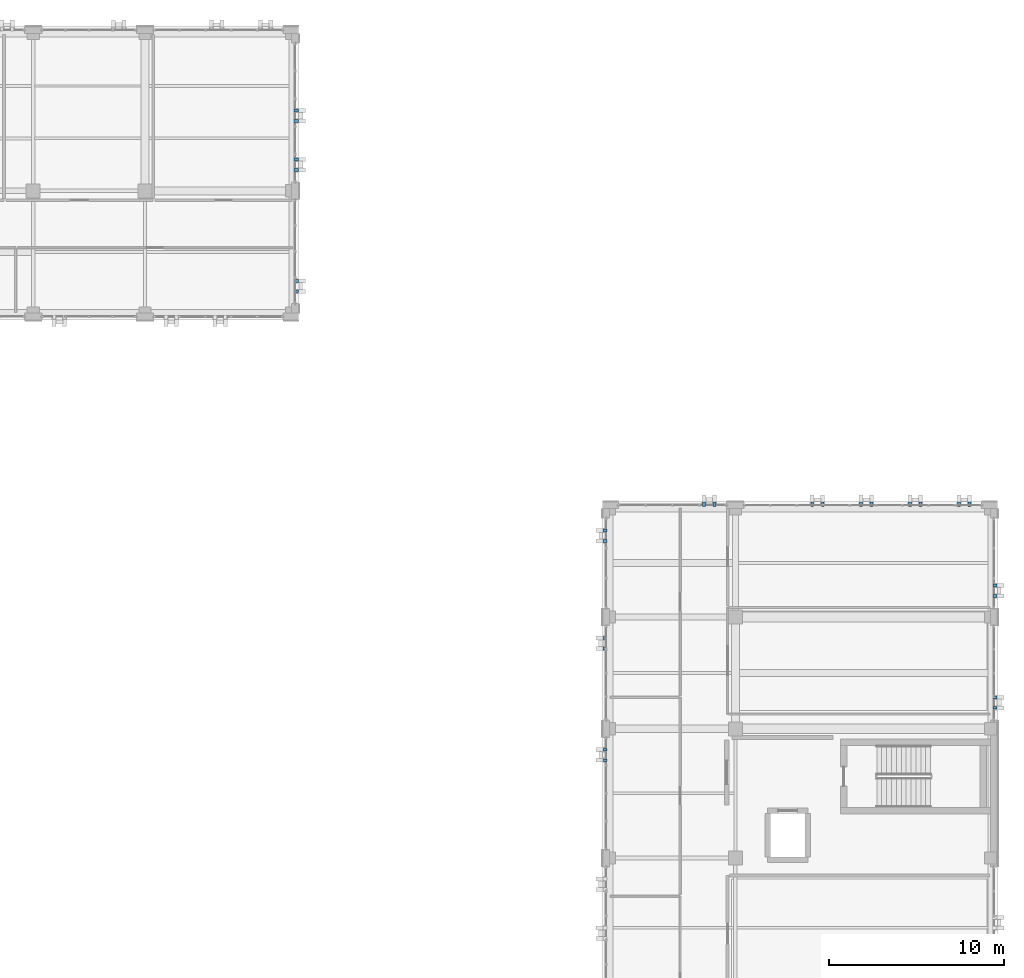
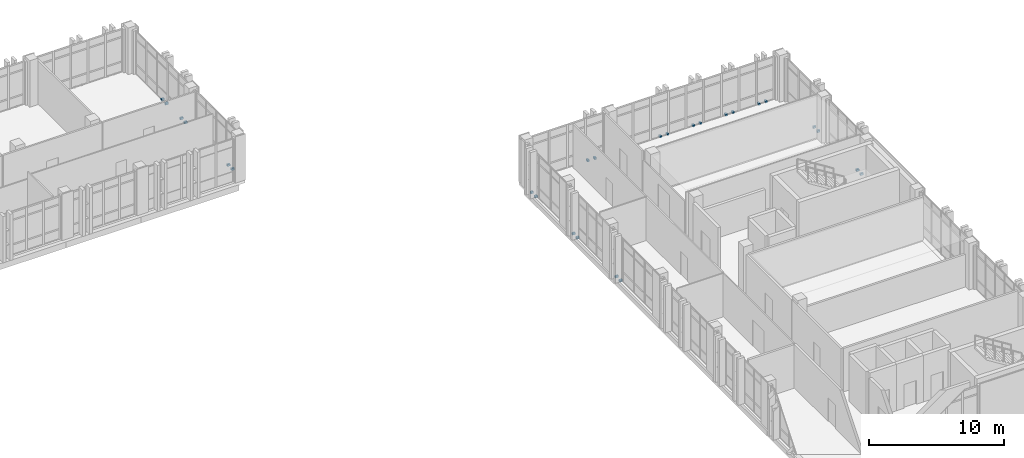
# One storey, part 142 of 158: 26 discrete accessories.
"""IFC4 building model written with IfcOpenShell, lengths in metres."""

from ifc_helpers import new_model, si_unit, direction, frame, origin, origin_2d, place, context, subcontext, project, spatial, rectangle, extrude, material, type_object, element, save


model = new_model("IFC4")

# Units and contexts
model_context = context("Model", 3, precision=1e-05, world=origin(), true_north=direction((0.0, 1.0)))
body_context = subcontext(model_context, "Body", "Model", "MODEL_VIEW")
ifc_project = project(units=[si_unit("LENGTHUNIT", "METRE"), si_unit("AREAUNIT", "SQUARE_METRE"), si_unit("VOLUMEUNIT", "CUBIC_METRE"), si_unit("PLANEANGLEUNIT", "RADIAN"), si_unit("MASSUNIT", "GRAM", prefix="KILO")], contexts=[model_context])

# Site, building, storey
site_placement = place(None, origin())
site = spatial("IfcSite", under=ifc_project, at=site_placement, CompositionType="ELEMENT")
building_placement = place(site_placement, origin())
building = spatial("IfcBuilding", under=site, at=building_placement, Name="Qalavern Law Courts", CompositionType="ELEMENT")
storey_placement = place(building_placement, frame((0.0, 0.0, 18.60009765625)))
storey = spatial("IfcBuildingStorey", under=building, at=storey_placement, Name="L04", CompositionType="ELEMENT", Elevation=18.60009765625)

# Discrete accessories
ifc_material = material(Name="Steel S355", Category="steel")
discrete_accessory_type = type_object("IfcDiscreteAccessoryType", Name="ENV-BRK-FIN", PredefinedType="BRACKET", material=ifc_material)
for number, where, z_axis, x_axis, name in (
    (1, (106.659912109375, 74.0, -0.06982421875), (0.0, 0.0, 1.0), (1.0, 0.0, 0.0), "Stone blade anchor bracket 0681"),
    (2, (106.659912109375, 74.60009765625, -0.06982421875), (0.0, 0.0, 1.0), (1.0, 0.0, 0.0), "Stone blade anchor bracket 0682"),
    (3, (106.659912109375, 80.39990234375, -0.06982421875), (0.0, 0.0, 1.0), (1.0, 0.0, 0.0), "Stone blade anchor bracket 0683"),
    (4, (106.659912109375, 81.0, -0.06982421875), (0.0, 0.0, 1.0), (1.0, 0.0, 0.0), "Stone blade anchor bracket 0684"),
    (5, (105.199951171875, 85.659912109375, -0.06982421875), (0.0, 0.0, 1.0), (0.0, 1.0, 0.0), "Stone blade anchor bracket 0685"),
    (6, (104.60009765625, 85.659912109375, -0.06982421875), (0.0, 0.0, 1.0), (0.0, 1.0, 0.0), "Stone blade anchor bracket 0686"),
    (7, (102.39990234375, 85.659912109375, -0.06982421875), (0.0, 0.0, 1.0), (0.0, 1.0, 0.0), "Stone blade anchor bracket 0687"),
    (8, (101.800048828125, 85.659912109375, -0.06982421875), (0.0, 0.0, 1.0), (0.0, 1.0, 0.0), "Stone blade anchor bracket 0688"),
    (9, (99.60009765625, 85.659912109375, -0.06982421875), (0.0, 0.0, 1.0), (0.0, 1.0, 0.0), "Stone blade anchor bracket 0689"),
    (10, (99.0, 85.659912109375, -0.06982421875), (0.0, 0.0, 1.0), (0.0, 1.0, 0.0), "Stone blade anchor bracket 0690"),
    (11, (96.800048828125, 85.659912109375, -0.06982421875), (0.0, 0.0, 1.0), (0.0, 1.0, 0.0), "Stone blade anchor bracket 0691"),
    (12, (96.199951171875, 85.659912109375, -0.06982421875), (0.0, 0.0, 1.0), (0.0, 1.0, 0.0), "Stone blade anchor bracket 0692"),
    (13, (90.60009765625, 85.659912109375, -0.06982421875), (0.0, 0.0, 1.0), (0.0, 1.0, 0.0), "Stone blade anchor bracket 0693"),
    (14, (90.0, 85.659912109375, -0.06982421875), (0.0, 0.0, 1.0), (0.0, 1.0, 0.0), "Stone blade anchor bracket 0694"),
    (15, (84.340087890625, 84.155029296875, -0.06982421875), (0.0, 0.0, 1.0), (-1.0, 0.0, 0.0), "Stone blade anchor bracket 0695"),
    (16, (84.340087890625, 83.554931640625, -0.06982421875), (0.0, 0.0, 1.0), (-1.0, 0.0, 0.0), "Stone blade anchor bracket 0696"),
    (17, (84.340087890625, 78.0, -0.06982421875), (0.0, 0.0, 1.0), (-1.0, 0.0, 0.0), "Stone blade anchor bracket 0697"),
    (18, (84.340087890625, 77.39990234375, -0.06982421875), (0.0, 0.0, 1.0), (-1.0, 0.0, 0.0), "Stone blade anchor bracket 0698"),
    (19, (84.340087890625, 71.60009765625, -0.06982421875), (0.0, 0.0, 1.0), (-1.0, 0.0, 0.0), "Stone blade anchor bracket 0699"),
    (20, (84.340087890625, 71.0, -0.06982421875), (0.0, 0.0, 1.0), (-1.0, 0.0, 0.0), "Stone blade anchor bracket 0700"),
    (21, (66.659912109375, 97.844970703125, -0.06982421875), (0.0, 0.0, 1.0), (1.0, 0.0, 0.0), "Stone blade anchor bracket 1085"),
    (22, (66.659912109375, 98.445068359375, -0.06982421875), (0.0, 0.0, 1.0), (1.0, 0.0, 0.0), "Stone blade anchor bracket 1086"),
    (23, (66.659912109375, 104.800048828125, -0.06982421875), (0.0, 0.0, 1.0), (1.0, 0.0, 0.0), "Stone blade anchor bracket 1087"),
    (24, (66.659912109375, 105.39990234375, -0.06982421875), (0.0, 0.0, 1.0), (1.0, 0.0, 0.0), "Stone blade anchor bracket 1088"),
    (25, (66.659912109375, 107.60009765625, -0.06982421875), (0.0, 0.0, 1.0), (1.0, 0.0, 0.0), "Stone blade anchor bracket 1089"),
    (26, (66.659912109375, 108.199951171875, -0.06982421875), (0.0, 0.0, 1.0), (1.0, 0.0, 0.0), "Stone blade anchor bracket 1090"),
):
    element("IfcDiscreteAccessory", number, at=place(storey_placement, frame(where, z_axis=z_axis, x_axis=x_axis)), inside=storey, type_object=discrete_accessory_type, Name=name, PredefinedType="BRACKET", context=body_context, shape_type="SweptSolid", body=[
        extrude(rectangle(XDim=0.239990234375, YDim=0.159912109375, at=origin_2d()), origin(), (0.0, 0.0, 1.0), 0.179931640625),
    ])

save(model, "model.ifc")
